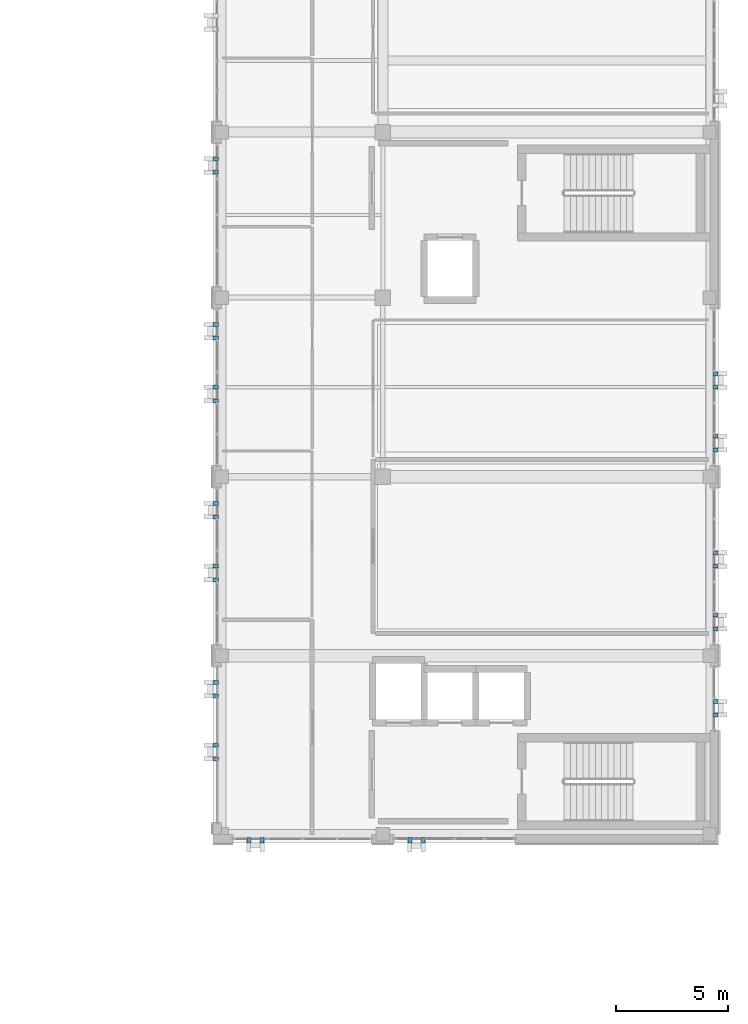
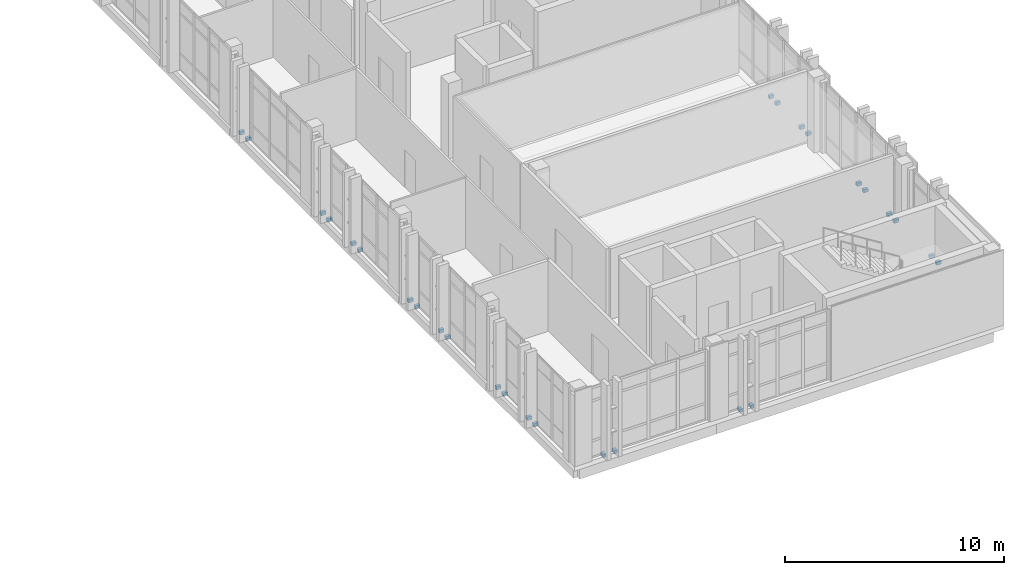
# One storey, part 75 of 90: 28 discrete accessories.
"""IFC4 building model written with IfcOpenShell, lengths in metres."""

from ifc_helpers import new_model, si_unit, direction, frame, origin, origin_2d, place, context, subcontext, project, spatial, rectangle, extrude, material, type_object, element, save


model = new_model("IFC4")

# Units and contexts
model_context = context("Model", 3, precision=1e-05, world=origin(), true_north=direction((0.0, 1.0)))
body_context = subcontext(model_context, "Body", "Model", "MODEL_VIEW")
ifc_project = project(units=[si_unit("LENGTHUNIT", "METRE"), si_unit("AREAUNIT", "SQUARE_METRE"), si_unit("VOLUMEUNIT", "CUBIC_METRE"), si_unit("PLANEANGLEUNIT", "RADIAN"), si_unit("MASSUNIT", "GRAM", prefix="KILO")], contexts=[model_context])

# Site, building, storey
site_placement = place(None, origin())
site = spatial("IfcSite", under=ifc_project, at=site_placement, CompositionType="ELEMENT")
building_placement = place(site_placement, origin())
building = spatial("IfcBuilding", under=site, at=building_placement, Name="Qalavern Law Courts", CompositionType="ELEMENT")
storey_placement = place(building_placement, frame((0.0, 0.0, 22.800048828125)))
storey = spatial("IfcBuildingStorey", under=building, at=storey_placement, Name="L05", CompositionType="ELEMENT", Elevation=22.800048828125)

# Discrete accessories
ifc_material = material(Name="Steel S355", Category="steel")
discrete_accessory_type = type_object("IfcDiscreteAccessoryType", Name="ENV-BRK-FIN", PredefinedType="BRACKET", material=ifc_material)
for number, where, z_axis, x_axis, name in (
    (1, (85.800048828125, 41.152587890625, -0.06982421875), (0.0, 0.0, 1.0), (0.0, -1.0, 0.0), "Stone blade anchor bracket 0713"),
    (2, (86.39990234375, 41.152587890625, -0.06982421875), (0.0, 0.0, 1.0), (0.0, -1.0, 0.0), "Stone blade anchor bracket 0714"),
    (3, (93.0, 41.152587890625, -0.06982421875), (0.0, 0.0, 1.0), (0.0, -1.0, 0.0), "Stone blade anchor bracket 0715"),
    (4, (93.60009765625, 41.152587890625, -0.06982421875), (0.0, 0.0, 1.0), (0.0, -1.0, 0.0), "Stone blade anchor bracket 0716"),
    (5, (106.66748046875, 46.75, -0.06982421875), (0.0, 0.0, 1.0), (1.0, 0.0, 0.0), "Stone blade anchor bracket 0717"),
    (6, (106.66748046875, 47.35009765625, -0.06982421875), (0.0, 0.0, 1.0), (1.0, 0.0, 0.0), "Stone blade anchor bracket 0718"),
    (7, (106.66748046875, 50.60009765625, -0.06982421875), (0.0, 0.0, 1.0), (1.0, 0.0, 0.0), "Stone blade anchor bracket 0719"),
    (8, (106.66748046875, 51.199951171875, -0.06982421875), (0.0, 0.0, 1.0), (1.0, 0.0, 0.0), "Stone blade anchor bracket 0720"),
    (9, (106.66748046875, 53.39990234375, -0.06982421875), (0.0, 0.0, 1.0), (1.0, 0.0, 0.0), "Stone blade anchor bracket 0721"),
    (10, (106.66748046875, 54.0, -0.06982421875), (0.0, 0.0, 1.0), (1.0, 0.0, 0.0), "Stone blade anchor bracket 0722"),
    (11, (106.66748046875, 58.60009765625, -0.06982421875), (0.0, 0.0, 1.0), (1.0, 0.0, 0.0), "Stone blade anchor bracket 0723"),
    (12, (106.66748046875, 59.199951171875, -0.06982421875), (0.0, 0.0, 1.0), (1.0, 0.0, 0.0), "Stone blade anchor bracket 0724"),
    (13, (106.66748046875, 61.39990234375, -0.06982421875), (0.0, 0.0, 1.0), (1.0, 0.0, 0.0), "Stone blade anchor bracket 0725"),
    (14, (106.66748046875, 62.0, -0.06982421875), (0.0, 0.0, 1.0), (1.0, 0.0, 0.0), "Stone blade anchor bracket 0726"),
    (15, (84.33251953125, 71.60009765625, -0.06982421875), (0.0, 0.0, 1.0), (-1.0, 0.0, 0.0), "Stone blade anchor bracket 0745"),
    (16, (84.33251953125, 71.0, -0.06982421875), (0.0, 0.0, 1.0), (-1.0, 0.0, 0.0), "Stone blade anchor bracket 0746"),
    (17, (84.33251953125, 64.199951171875, -0.06982421875), (0.0, 0.0, 1.0), (-1.0, 0.0, 0.0), "Stone blade anchor bracket 0747"),
    (18, (84.33251953125, 63.60009765625, -0.06982421875), (0.0, 0.0, 1.0), (-1.0, 0.0, 0.0), "Stone blade anchor bracket 0748"),
    (19, (84.33251953125, 61.39990234375, -0.06982421875), (0.0, 0.0, 1.0), (-1.0, 0.0, 0.0), "Stone blade anchor bracket 0749"),
    (20, (84.33251953125, 60.800048828125, -0.06982421875), (0.0, 0.0, 1.0), (-1.0, 0.0, 0.0), "Stone blade anchor bracket 0750"),
    (21, (84.33251953125, 56.199951171875, -0.06982421875), (0.0, 0.0, 1.0), (-1.0, 0.0, 0.0), "Stone blade anchor bracket 0751"),
    (22, (84.33251953125, 55.60009765625, -0.06982421875), (0.0, 0.0, 1.0), (-1.0, 0.0, 0.0), "Stone blade anchor bracket 0752"),
    (23, (84.33251953125, 53.39990234375, -0.06982421875), (0.0, 0.0, 1.0), (-1.0, 0.0, 0.0), "Stone blade anchor bracket 0753"),
    (24, (84.33251953125, 52.800048828125, -0.06982421875), (0.0, 0.0, 1.0), (-1.0, 0.0, 0.0), "Stone blade anchor bracket 0754"),
    (25, (84.33251953125, 48.199951171875, -0.06982421875), (0.0, 0.0, 1.0), (-1.0, 0.0, 0.0), "Stone blade anchor bracket 0755"),
    (26, (84.33251953125, 47.60009765625, -0.06982421875), (0.0, 0.0, 1.0), (-1.0, 0.0, 0.0), "Stone blade anchor bracket 0756"),
    (27, (84.33251953125, 45.39990234375, -0.06982421875), (0.0, 0.0, 1.0), (-1.0, 0.0, 0.0), "Stone blade anchor bracket 0757"),
    (28, (84.33251953125, 44.800048828125, -0.06982421875), (0.0, 0.0, 1.0), (-1.0, 0.0, 0.0), "Stone blade anchor bracket 0758"),
):
    element("IfcDiscreteAccessory", number, at=place(storey_placement, frame(where, z_axis=z_axis, x_axis=x_axis)), inside=storey, type_object=discrete_accessory_type, Name=name, PredefinedType="BRACKET", context=body_context, shape_type="SweptSolid", body=[
        extrude(rectangle(XDim=0.239990234375, YDim=0.159912109375, at=origin_2d()), origin(), (0.0, 0.0, 1.0), 0.179931640625),
    ])

save(model, "model.ifc")
